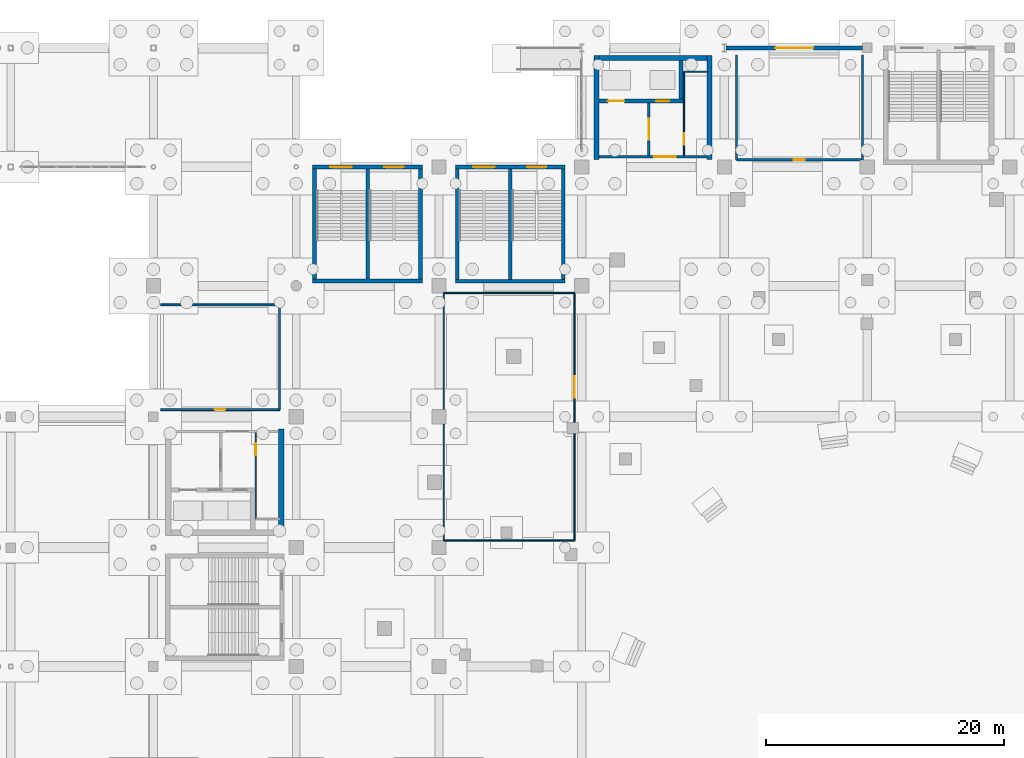
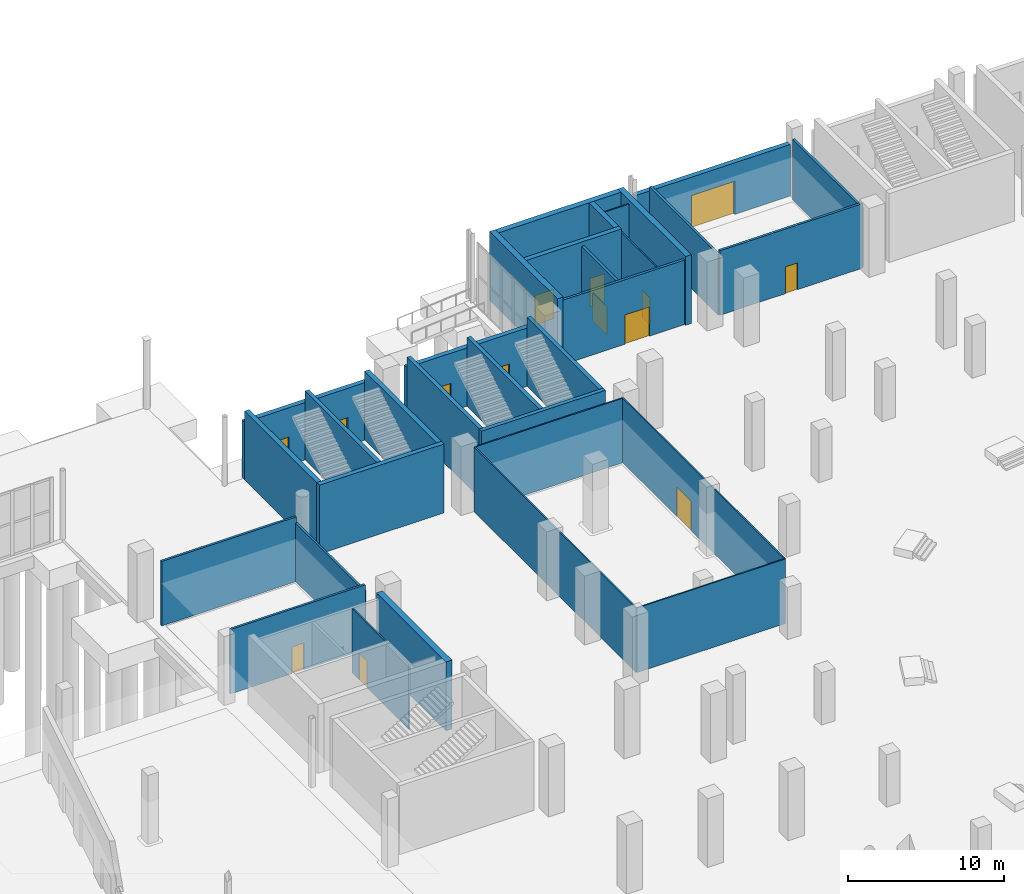
# One storey, part 52 of 70: 32 walls, 14 doors, 14 openings.
"""IFC4 building model written with IfcOpenShell, lengths in metres."""

from ifc_helpers import new_model, si_unit, direction, frame, frame_2d, origin, place, context, subcontext, project, spatial, rectangle, extrude, material, layer, layer_set, type_object, element, fill, save


model = new_model("IFC4")

# Units and contexts
model_context = context("Model", 3, precision=1e-05, world=origin(), true_north=direction((0.0, 1.0)))
body_context = subcontext(model_context, "Body", "Model", "MODEL_VIEW")
ifc_project = project(units=[si_unit("LENGTHUNIT", "METRE"), si_unit("AREAUNIT", "SQUARE_METRE"), si_unit("VOLUMEUNIT", "CUBIC_METRE"), si_unit("PLANEANGLEUNIT", "RADIAN"), si_unit("MASSUNIT", "GRAM", prefix="KILO")], contexts=[model_context])

# Site, building, storey
site_placement = place(None, origin())
site = spatial("IfcSite", under=ifc_project, at=site_placement, CompositionType="ELEMENT")
building_placement = place(site_placement, origin())
building = spatial("IfcBuilding", under=site, at=building_placement, Name="Brinegate Civic Arena", CompositionType="ELEMENT")
storey_placement = place(building_placement, origin())
storey = spatial("IfcBuildingStorey", under=building, at=storey_placement, Name="L00", CompositionType="ELEMENT", Elevation=0.0)

# Walls
ifc_material_1 = material(Name="Concrete C50/60", Category="concrete")
ifc_layer_1 = layer(ifc_material_1, 0.35009765625, Name="Concrete C50/60")
ifc_layer_set_1 = layer_set([ifc_layer_1], Name="Concrete C50/60")
wall_type_1 = type_object("IfcWallType", Name="WALL-CORE-SHEAR-350", PredefinedType="SHEAR", material=ifc_layer_set_1)
for number, where, z_axis, x_axis, name in (
    (1, (61.375, 104.39990234375, 0.0), (0.0, 0.0, 1.0), (1.0, 0.0, 0.0), "Stair ST-01 South Shear Wall L00 (WBB-02)"),
    (2, (61.550048828125, 104.574951171875, 0.0), (0.0, 0.0, 1.0), (0.0, 1.0, 0.0), "Stair ST-01 West Shear Wall L00 (WBB-04)"),
    (3, (70.449951171875, 104.574951171875, 0.0), (0.0, 0.0, 1.0), (0.0, 1.0, 0.0), "Stair ST-01 East Shear Wall L00 (WBB-05)"),
):
    element("IfcWall", number, at=place(storey_placement, frame(where, z_axis=z_axis, x_axis=x_axis)), inside=storey, type_object=wall_type_1, Name=name, PredefinedType="SHEAR", context=body_context, shape_type="SweptSolid", body=[
        extrude(rectangle(XDim=9.25, YDim=0.35009765625, at=frame_2d((4.625, 0.0))), origin(), (0.0, 0.0, 1.0), 5.39990234375),
    ])

# Wall, openings, doors
wall_1_placement = place(storey_placement, frame((85.4599609375, 119.550048828125, 0.0), z_axis=(0.0, 0.0, 1.0), x_axis=(1.0, 0.0, 0.0)))
wall_1 = element("IfcWall", 4, at=wall_1_placement, inside=storey, type_object=wall_type_1, Name="Core K3 Lift Shaft Front Wall L00 (WBG-48)", PredefinedType="SHEAR", context=body_context, shape_type="SweptSolid", body=[
    extrude(rectangle(XDim=7.06494140625, YDim=0.35009765625, at=frame_2d((3.532470703125, 0.0))), origin(), (0.0, 0.0, 1.0), 5.39990234375),
])
opening_1_placement = place(wall_1_placement, frame((0.739990234375, 0.0, 0.0)))
opening_1 = element("IfcOpeningElement", 5, at=opening_1_placement, cuts=wall_1, Name="Opening LD-FL3-L00", PredefinedType="OPENING", context=body_context, shape_type="SweptSolid", body=[
    extrude(rectangle(XDim=1.39990234375, YDim=2.300048828125, at=frame_2d((0.699951171875, 1.14990234375))), frame((0.0, 0.18505859375, 0.0), z_axis=(0.0, -1.0, 0.0), x_axis=(1.0, 0.0, 0.0)), (0.0, 0.0, 1.0), 0.3701171875),
])
opening_2_placement = place(wall_1_placement, frame((4.7900390625, 0.0, 0.0)))
opening_2 = element("IfcOpeningElement", 6, at=opening_2_placement, cuts=wall_1, Name="Opening LD-PL5-L00", PredefinedType="OPENING", context=body_context, shape_type="SweptSolid", body=[
    extrude(rectangle(XDim=1.10009765625, YDim=2.199951171875, at=frame_2d((0.550048828125, 1.10009765625))), frame((0.0, 0.18505859375, 0.0), z_axis=(0.0, -1.0, 0.0), x_axis=(1.0, 0.0, 0.0)), (0.0, 0.0, 1.0), 0.3701171875),
])
ifc_material_2 = material(Name="Architectural stainless steel balustrade", Category="steel")
door_type_1 = type_object("IfcDoorType", Name="DOOR-LIFT-1100X2200", OperationType="SLIDING_TO_LEFT", PredefinedType="DOOR", material=ifc_material_2)
door_1_placement = place(opening_2_placement, origin())
door_1 = element("IfcDoor", 7, at=door_1_placement, inside=storey, type_object=door_type_1, Name="Sliding Lift Landing Door LD-PL5-L00", OperationType="SLIDING_TO_LEFT", OverallHeight=2.199951171875, OverallWidth=1.10009765625, PredefinedType="DOOR", context=body_context, shape_type="SweptSolid", body=[
    extrude(rectangle(XDim=1.10009765625, YDim=2.199951171875, at=frame_2d((0.550048828125, 1.10009765625))), frame((0.0, 0.02490234375, 0.0), z_axis=(0.0, -1.0, 0.0), x_axis=(1.0, 0.0, 0.0)), (0.0, 0.0, 1.0), 0.050048828125),
])
fill(opening_2, door_1)
door_type_2 = type_object("IfcDoorType", Name="DOOR-LIFT-1400X2300", OperationType="SLIDING_TO_LEFT", PredefinedType="DOOR", material=ifc_material_2)
door_2_placement = place(opening_1_placement, origin())
door_2 = element("IfcDoor", 8, at=door_2_placement, inside=storey, type_object=door_type_2, Name="Sliding Lift Landing Door LD-FL3-L00", OperationType="SLIDING_TO_LEFT", OverallHeight=2.300048828125, OverallWidth=1.39990234375, PredefinedType="DOOR", context=body_context, shape_type="SweptSolid", body=[
    extrude(rectangle(XDim=1.39990234375, YDim=2.300048828125, at=frame_2d((0.699951171875, 1.14990234375))), frame((0.0, 0.02490234375, 0.0), z_axis=(0.0, -1.0, 0.0), x_axis=(1.0, 0.0, 0.0)), (0.0, 0.0, 1.0), 0.050048828125),
])
fill(opening_1, door_2)

# Walls
wall_2_placement = place(storey_placement, frame((92.35009765625, 119.72509765625, 0.0), z_axis=(0.0, 0.0, 1.0), x_axis=(0.0, 1.0, 0.0)))
element("IfcWall", 9, at=wall_2_placement, inside=storey, type_object=wall_type_1, Name="Core K3 Lift Shaft End Wall L00 (WBG-49)", PredefinedType="SHEAR", context=body_context, shape_type="SweptSolid", body=[
    extrude(rectangle(XDim=3.21484375, YDim=0.35009765625, at=frame_2d((1.607421875, 0.0))), origin(), (0.0, 0.0, 1.0), 5.39990234375),
])
ifc_layer_2 = layer(ifc_material_1, 0.419921875, Name="Concrete C50/60")
ifc_layer_set_2 = layer_set([ifc_layer_2], Name="Concrete C50/60")
wall_type_2 = type_object("IfcWallType", Name="WALL-CORE-SHEAR-420", PredefinedType="SHEAR", material=ifc_layer_set_2)
for number, where, z_axis, x_axis, name in (
    (10, (85.25, 114.639892578125, 0.0), (0.0, 0.0, 1.0), (0.0, 1.0, 0.0), "Core K3 West Shear Wall L00 (WBG-45)"),
    (11, (94.75, 114.639892578125, 0.0), (0.0, 0.0, 1.0), (0.0, 1.0, 0.0), "Core K3 East Shear Wall L00 (WBG-46)"),
):
    element("IfcWall", number, at=place(storey_placement, frame(where, z_axis=z_axis, x_axis=x_axis)), inside=storey, type_object=wall_type_2, Name=name, PredefinedType="SHEAR", context=body_context, shape_type="SweptSolid", body=[
        extrude(rectangle(XDim=8.72021484375, YDim=0.419921875, at=frame_2d((4.360107421875, 0.0))), origin(), (0.0, 0.0, 1.0), 5.39990234375),
    ])
wall_3_placement = place(storey_placement, frame((85.4599609375, 123.14990234375, 0.0), z_axis=(0.0, 0.0, 1.0), x_axis=(1.0, 0.0, 0.0)))
element("IfcWall", 12, at=wall_3_placement, inside=storey, type_object=wall_type_2, Name="Core K3 North Shear Wall L00 (WBG-47)", PredefinedType="SHEAR", context=body_context, shape_type="SweptSolid", body=[
    extrude(rectangle(XDim=9.080078125, YDim=0.419921875, at=frame_2d((4.5400390625, 0.0))), origin(), (0.0, 0.0, 1.0), 5.39990234375),
])
ifc_layer_3 = layer(ifc_material_1, 0.449951171875, Name="Concrete C50/60")
ifc_layer_set_3 = layer_set([ifc_layer_3], Name="Concrete C50/60")
wall_type_3 = type_object("IfcWallType", Name="WALL-CORE-SHEAR-450", PredefinedType="SHEAR", material=ifc_layer_set_3)
wall_4_placement = place(storey_placement, frame((58.75, 83.02490234375, 0.0), z_axis=(0.0, 0.0, 1.0), x_axis=(0.0, 1.0, 0.0)))
element("IfcWall", 13, at=wall_4_placement, inside=storey, type_object=wall_type_3, Name="Core K1 East Shear Wall L00 (WBF-37)", PredefinedType="SHEAR", context=body_context, shape_type="SweptSolid", body=[
    extrude(rectangle(XDim=8.9501953125, YDim=0.449951171875, at=frame_2d((4.47509765625, 0.0))), origin(), (0.0, 0.0, 1.0), 5.39990234375),
])

# Wall, opening, door
ifc_material_3 = material(Name="Precast concrete C45/55", Category="concrete")
ifc_layer_4 = layer(ifc_material_3, 0.360107421875, Name="Precast concrete C45/55")
ifc_layer_set_4 = layer_set([ifc_layer_4], Name="Precast concrete C45/55")
wall_type_4 = type_object("IfcWallType", Name="WALL-EXT-PRECAST-360", PredefinedType="SOLIDWALL", material=ifc_layer_set_4)
wall_5_placement = place(storey_placement, frame((96.14697265625, 124.0, 0.0), z_axis=(0.0, 0.0, 1.0), x_axis=(1.0, 0.0, 0.0)))
wall_5 = element("IfcWall", 14, at=wall_5_placement, inside=storey, type_object=wall_type_4, Name="L00 Perimeter Wall NP-1 (WBA-26)", PredefinedType="SOLIDWALL", context=body_context, shape_type="SweptSolid", body=[
    extrude(rectangle(XDim=11.468017578125, YDim=0.360107421875, at=frame_2d((5.73388671875, 0.0))), origin(), (0.0, 0.0, 1.0), 4.0400390625),
])
opening_3_placement = place(wall_5_placement, frame((4.134033203125, 0.0, 0.0)))
opening_3 = element("IfcOpeningElement", 15, at=opening_3_placement, cuts=wall_5, Name="Opening E-08", PredefinedType="OPENING", context=body_context, shape_type="SweptSolid", body=[
    extrude(rectangle(XDim=3.199951171875, YDim=2.60009765625, at=frame_2d((1.60009765625, 1.300048828125))), frame((0.0, 0.18994140625, 0.0), z_axis=(0.0, -1.0, 0.0), x_axis=(1.0, 0.0, 0.0)), (0.0, 0.0, 1.0), 0.380126953125),
])
ifc_material_4 = material(Name="Marine grade aluminium", Category="aluminium")
door_type_3 = type_object("IfcDoorType", Name="DOOR-FINAL-EXIT-3200X2600", OperationType="NOTDEFINED", PredefinedType="DOOR", material=ifc_material_4)
door_3_placement = place(opening_3_placement, origin())
door_3 = element("IfcDoor", 16, at=door_3_placement, inside=storey, type_object=door_type_3, Name="Main Pedestrian Final Exit Door E-08", OperationType="DOUBLE_DOOR_SINGLE_SWING", OverallHeight=2.60009765625, OverallWidth=3.199951171875, PredefinedType="DOOR", context=body_context, shape_type="SweptSolid", body=[
    extrude(rectangle(XDim=3.199951171875, YDim=2.60009765625, at=frame_2d((1.60009765625, 1.300048828125))), frame((0.0, 0.02490234375, 0.0), z_axis=(0.0, -1.0, 0.0), x_axis=(1.0, 0.0, 0.0)), (0.0, 0.0, 1.0), 0.050048828125),
])
fill(opening_3, door_3)

# Wall, openings, doors
ifc_layer_5 = layer(ifc_material_1, 0.35009765625, Name="Concrete C50/60")
ifc_layer_set_5 = layer_set([ifc_layer_5], Name="Concrete C50/60")
wall_type_5 = type_object("IfcWallType", Name="WALL-EXT-STAIR-SHEAR-350", PredefinedType="SHEAR", material=ifc_layer_set_5)
wall_6_placement = place(storey_placement, frame((61.375, 114.0, 0.0), z_axis=(0.0, 0.0, 1.0), x_axis=(1.0, 0.0, 0.0)))
wall_6 = element("IfcWall", 17, at=wall_6_placement, inside=storey, type_object=wall_type_5, Name="Stair ST-01 North Shear Wall L00 (WBB-03)", PredefinedType="SHEAR", context=body_context, shape_type="SweptSolid", body=[
    extrude(rectangle(XDim=9.25, YDim=0.35009765625, at=frame_2d((4.625, 0.0))), origin(), (0.0, 0.0, 1.0), 4.49609375),
])
opening_4_placement = place(wall_6_placement, frame((1.5, 0.0, 0.0)))
opening_4 = element("IfcOpeningElement", 18, at=opening_4_placement, cuts=wall_6, Name="Opening E-ST01A", PredefinedType="OPENING", context=body_context, shape_type="SweptSolid", body=[
    extrude(rectangle(XDim=1.800048828125, YDim=2.199951171875, at=frame_2d((0.89990234375, 1.10009765625))), frame((0.0, 0.18505859375, 0.0), z_axis=(0.0, -1.0, 0.0), x_axis=(1.0, 0.0, 0.0)), (0.0, 0.0, 1.0), 0.3701171875),
])
opening_5_placement = place(wall_6_placement, frame((6.050048828125, 0.0, 0.0)))
opening_5 = element("IfcOpeningElement", 19, at=opening_5_placement, cuts=wall_6, Name="Opening E-ST01B", PredefinedType="OPENING", context=body_context, shape_type="SweptSolid", body=[
    extrude(rectangle(XDim=1.60009765625, YDim=2.199951171875, at=frame_2d((0.800048828125, 1.10009765625))), frame((0.0, 0.18505859375, 0.0), z_axis=(0.0, -1.0, 0.0), x_axis=(1.0, 0.0, 0.0)), (0.0, 0.0, 1.0), 0.3701171875),
])
door_type_4 = type_object("IfcDoorType", Name="DOOR-LOGGIA-1600X2200", OperationType="NOTDEFINED", PredefinedType="DOOR", material=ifc_material_4)
door_4_placement = place(opening_5_placement, origin())
door_4 = element("IfcDoor", 20, at=door_4_placement, inside=storey, type_object=door_type_4, Name="Stair Final Exit Discharge Door E-ST01B", OperationType="DOUBLE_DOOR_SINGLE_SWING", OverallHeight=2.199951171875, OverallWidth=1.60009765625, PredefinedType="DOOR", context=body_context, shape_type="SweptSolid", body=[
    extrude(rectangle(XDim=1.60009765625, YDim=2.199951171875, at=frame_2d((0.800048828125, 1.10009765625))), frame((0.0, 0.02490234375, 0.0), z_axis=(0.0, -1.0, 0.0), x_axis=(1.0, 0.0, 0.0)), (0.0, 0.0, 1.0), 0.050048828125),
])
fill(opening_5, door_4)
door_type_5 = type_object("IfcDoorType", Name="DOOR-LOGGIA-1800X2200", OperationType="NOTDEFINED", PredefinedType="DOOR", material=ifc_material_4)
door_5_placement = place(opening_4_placement, origin())
door_5 = element("IfcDoor", 21, at=door_5_placement, inside=storey, type_object=door_type_5, Name="Stair Final Exit Discharge Door E-ST01A", OperationType="DOUBLE_DOOR_SINGLE_SWING", OverallHeight=2.199951171875, OverallWidth=1.800048828125, PredefinedType="DOOR", context=body_context, shape_type="SweptSolid", body=[
    extrude(rectangle(XDim=1.800048828125, YDim=2.199951171875, at=frame_2d((0.89990234375, 1.10009765625))), frame((0.0, 0.02490234375, 0.0), z_axis=(0.0, -1.0, 0.0), x_axis=(1.0, 0.0, 0.0)), (0.0, 0.0, 1.0), 0.050048828125),
])
fill(opening_4, door_5)

wall_7_placement = place(storey_placement, frame((73.405029296875, 114.0, 0.0), z_axis=(0.0, 0.0, 1.0), x_axis=(1.0, 0.0, 0.0)))
wall_7 = element("IfcWall", 22, at=wall_7_placement, inside=storey, type_object=wall_type_5, Name="Stair ST-11 North Shear Wall L00 (WBD-80)", PredefinedType="SHEAR", context=body_context, shape_type="SweptSolid", body=[
    extrude(rectangle(XDim=9.18994140625, YDim=0.35009765625, at=frame_2d((4.594970703125, 0.0))), origin(), (0.0, 0.0, 1.0), 4.573974609375),
])
opening_6_placement = place(wall_7_placement, frame((1.469970703125, 0.0, 0.0)))
opening_6 = element("IfcOpeningElement", 23, at=opening_6_placement, cuts=wall_7, Name="Opening E-ST11A", PredefinedType="OPENING", context=body_context, shape_type="SweptSolid", body=[
    extrude(rectangle(XDim=1.800048828125, YDim=2.199951171875, at=frame_2d((0.89990234375, 1.10009765625))), frame((0.0, 0.18505859375, 0.0), z_axis=(0.0, -1.0, 0.0), x_axis=(1.0, 0.0, 0.0)), (0.0, 0.0, 1.0), 0.3701171875),
])
opening_7_placement = place(wall_7_placement, frame((6.02001953125, 0.0, 0.0)))
opening_7 = element("IfcOpeningElement", 24, at=opening_7_placement, cuts=wall_7, Name="Opening E-ST11B", PredefinedType="OPENING", context=body_context, shape_type="SweptSolid", body=[
    extrude(rectangle(XDim=1.60009765625, YDim=2.199951171875, at=frame_2d((0.800048828125, 1.10009765625))), frame((0.0, 0.18505859375, 0.0), z_axis=(0.0, -1.0, 0.0), x_axis=(1.0, 0.0, 0.0)), (0.0, 0.0, 1.0), 0.3701171875),
])
door_6_placement = place(opening_7_placement, origin())
door_6 = element("IfcDoor", 25, at=door_6_placement, inside=storey, type_object=door_type_4, Name="Stair Final Exit Discharge Door E-ST11B", OperationType="DOUBLE_DOOR_SINGLE_SWING", OverallHeight=2.199951171875, OverallWidth=1.60009765625, PredefinedType="DOOR", context=body_context, shape_type="SweptSolid", body=[
    extrude(rectangle(XDim=1.60009765625, YDim=2.199951171875, at=frame_2d((0.800048828125, 1.10009765625))), frame((0.0, 0.02490234375, 0.0), z_axis=(0.0, -1.0, 0.0), x_axis=(1.0, 0.0, 0.0)), (0.0, 0.0, 1.0), 0.050048828125),
])
fill(opening_7, door_6)
door_7_placement = place(opening_6_placement, origin())
door_7 = element("IfcDoor", 26, at=door_7_placement, inside=storey, type_object=door_type_5, Name="Stair Final Exit Discharge Door E-ST11A", OperationType="DOUBLE_DOOR_SINGLE_SWING", OverallHeight=2.199951171875, OverallWidth=1.800048828125, PredefinedType="DOOR", context=body_context, shape_type="SweptSolid", body=[
    extrude(rectangle(XDim=1.800048828125, YDim=2.199951171875, at=frame_2d((0.89990234375, 1.10009765625))), frame((0.0, 0.02490234375, 0.0), z_axis=(0.0, -1.0, 0.0), x_axis=(1.0, 0.0, 0.0)), (0.0, 0.0, 1.0), 0.050048828125),
])
fill(opening_6, door_7)

# Wall
ifc_material_5 = material(Name="Fire-rated gypsum partition assembly")
ifc_layer_6 = layer(ifc_material_5, 0.159912109375, Name="Fire-rated gypsum partition assembly")
ifc_layer_set_6 = layer_set([ifc_layer_6], Name="Fire-rated gypsum partition assembly")
wall_type_6 = type_object("IfcWallType", Name="WALL-PART-RATED-160", PredefinedType="PARTITIONING", material=ifc_layer_set_6)
wall_8_placement = place(storey_placement, frame((58.60009765625, 102.39990234375, 0.0), z_axis=(0.0, 0.0, 1.0), x_axis=(0.0, -1.0, 0.0)))
element("IfcWall", 27, at=wall_8_placement, inside=storey, type_object=wall_type_6, Name="Event Level Staff Female Toilet Partition Wall E1 (WBI-74)", PredefinedType="PARTITIONING", context=body_context, shape_type="SweptSolid", body=[
    extrude(rectangle(XDim=8.7998046875, YDim=0.159912109375, at=frame_2d((4.39990234375, 0.0))), origin(), (0.0, 0.0, 1.0), 4.580078125),
])

# Wall, opening, door
wall_9_placement = place(storey_placement, frame((58.60009765625, 93.60009765625, 0.0), z_axis=(0.0, 0.0, 1.0), x_axis=(-1.0, 0.0, 0.0)))
wall_9 = element("IfcWall", 28, at=wall_9_placement, inside=storey, type_object=wall_type_6, Name="Event Level Staff Female Toilet Partition Wall E2 (WBI-75)", PredefinedType="PARTITIONING", context=body_context, shape_type="SweptSolid", body=[
    extrude(rectangle(XDim=10.0, YDim=0.159912109375, at=frame_2d((5.0, 0.0))), origin(), (0.0, 0.0, 1.0), 5.06005859375),
])
opening_8_placement = place(wall_9_placement, frame((4.550048828125, 0.0, 0.0)))
opening_8 = element("IfcOpeningElement", 29, at=opening_8_placement, cuts=wall_9, Name="Opening D-L00-166", PredefinedType="OPENING", context=body_context, shape_type="SweptSolid", body=[
    extrude(rectangle(XDim=0.89990234375, YDim=2.10009765625, at=frame_2d((0.449951171875, 1.050048828125))), frame((0.0, 0.08984375, 0.0), z_axis=(0.0, -1.0, 0.0), x_axis=(1.0, 0.0, 0.0)), (0.0, 0.0, 1.0), 0.179931640625),
])
ifc_material_6 = material(Name="Hardwood acoustic timber door", Category="wood")
door_type_6 = type_object("IfcDoorType", Name="DOOR-WC-900X2100", OperationType="NOTDEFINED", PredefinedType="DOOR", material=ifc_material_6)
door_8_placement = place(opening_8_placement, origin())
door_8 = element("IfcDoor", 30, at=door_8_placement, inside=storey, type_object=door_type_6, Name="Event Level Staff Female Toilet Door D-L00-166", OperationType="SINGLE_SWING_LEFT", OverallHeight=2.10009765625, OverallWidth=0.89990234375, PredefinedType="DOOR", context=body_context, shape_type="SweptSolid", body=[
    extrude(rectangle(XDim=0.89990234375, YDim=2.10009765625, at=frame_2d((0.449951171875, 1.050048828125))), frame((0.0, 0.02490234375, 0.0), z_axis=(0.0, -1.0, 0.0), x_axis=(1.0, 0.0, 0.0)), (0.0, 0.0, 1.0), 0.050048828125),
])
fill(opening_8, door_8)

# Walls
wall_10_placement = place(storey_placement, frame((48.60009765625, 102.39990234375, 0.0), z_axis=(0.0, 0.0, 1.0), x_axis=(1.0, 0.0, 0.0)))
element("IfcWall", 31, at=wall_10_placement, inside=storey, type_object=wall_type_6, Name="Event Level Staff Female Toilet Partition Wall E4 (WBI-76)", PredefinedType="PARTITIONING", context=body_context, shape_type="SweptSolid", body=[
    extrude(rectangle(XDim=10.0, YDim=0.159912109375, at=frame_2d((5.0, 0.0))), origin(), (0.0, 0.0, 1.0), 5.06005859375),
])
ifc_layer_7 = layer(ifc_material_5, 0.175048828125, Name="Fire-rated gypsum partition assembly")
ifc_layer_set_7 = layer_set([ifc_layer_7], Name="Fire-rated gypsum partition assembly")
wall_type_7 = type_object("IfcWallType", Name="WALL-PART-RATED-175", PredefinedType="PARTITIONING", material=ifc_layer_set_7)
wall_11_placement = place(storey_placement, frame((107.60009765625, 123.39990234375, 0.0), z_axis=(0.0, 0.0, 1.0), x_axis=(0.0, -1.0, 0.0)))
element("IfcWall", 32, at=wall_11_placement, inside=storey, type_object=wall_type_7, Name="Event Level Staff Male Toilet Partition Wall E1 (WBI-71)", PredefinedType="PARTITIONING", context=body_context, shape_type="SweptSolid", body=[
    extrude(rectangle(XDim=8.7998046875, YDim=0.175048828125, at=frame_2d((4.39990234375, 0.0))), origin(), (0.0, 0.0, 1.0), 4.72998046875),
])

# Wall, opening, door
wall_12_placement = place(storey_placement, frame((107.60009765625, 114.60009765625, 0.0), z_axis=(0.0, 0.0, 1.0), x_axis=(-1.0, 0.0, 0.0)))
wall_12 = element("IfcWall", 33, at=wall_12_placement, inside=storey, type_object=wall_type_7, Name="Event Level Staff Male Toilet Partition Wall E2 (WBI-72)", PredefinedType="PARTITIONING", context=body_context, shape_type="SweptSolid", body=[
    extrude(rectangle(XDim=10.60009765625, YDim=0.175048828125, at=frame_2d((5.300048828125, 0.0))), origin(), (0.0, 0.0, 1.0), 5.06005859375),
])
opening_9_placement = place(wall_12_placement, frame((4.85009765625, 0.0, 0.0)))
opening_9 = element("IfcOpeningElement", 34, at=opening_9_placement, cuts=wall_12, Name="Opening D-L00-165", PredefinedType="OPENING", context=body_context, shape_type="SweptSolid", body=[
    extrude(rectangle(XDim=0.89990234375, YDim=2.10009765625, at=frame_2d((0.449951171875, 1.050048828125))), frame((0.0, 0.097412109375, 0.0), z_axis=(0.0, -1.0, 0.0), x_axis=(1.0, 0.0, 0.0)), (0.0, 0.0, 1.0), 0.195068359375),
])
door_9_placement = place(opening_9_placement, origin())
door_9 = element("IfcDoor", 35, at=door_9_placement, inside=storey, type_object=door_type_6, Name="Event Level Staff Male Toilet Door D-L00-165", OperationType="SINGLE_SWING_RIGHT", OverallHeight=2.10009765625, OverallWidth=0.89990234375, PredefinedType="DOOR", context=body_context, shape_type="SweptSolid", body=[
    extrude(rectangle(XDim=0.89990234375, YDim=2.10009765625, at=frame_2d((0.449951171875, 1.050048828125))), frame((0.0, 0.02490234375, 0.0), z_axis=(0.0, -1.0, 0.0), x_axis=(1.0, 0.0, 0.0)), (0.0, 0.0, 1.0), 0.050048828125),
])
fill(opening_9, door_9)

# Wall
wall_13_placement = place(storey_placement, frame((97.0, 114.60009765625, 0.0), z_axis=(0.0, 0.0, 1.0), x_axis=(0.0, 1.0, 0.0)))
element("IfcWall", 36, at=wall_13_placement, inside=storey, type_object=wall_type_7, Name="Event Level Staff Male Toilet Partition Wall E3 (WBI-73)", PredefinedType="PARTITIONING", context=body_context, shape_type="SweptSolid", body=[
    extrude(rectangle(XDim=8.7998046875, YDim=0.175048828125, at=frame_2d((4.39990234375, 0.0))), origin(), (0.0, 0.0, 1.0), 4.72998046875),
])

# Wall, opening, door
ifc_material_7 = material(Name="Concrete blockwork masonry", Category="masonry")
ifc_layer_8 = layer(ifc_material_7, 0.18994140625, Name="Concrete blockwork masonry")
ifc_layer_set_8 = layer_set([ifc_layer_8], Name="Concrete blockwork masonry")
wall_type_8 = type_object("IfcWallType", Name="WALL-PART-RATED-190", PredefinedType="PARTITIONING", material=ifc_layer_set_8)
wall_14_placement = place(storey_placement, frame((85.469970703125, 114.85009765625, 0.0), z_axis=(0.0, 0.0, 1.0), x_axis=(1.0, 0.0, 0.0)))
wall_14 = element("IfcWall", 37, at=wall_14_placement, inside=storey, type_object=wall_type_8, Name="Core K3 Concourse Lobby Wall L00 (WBG-50)", PredefinedType="PARTITIONING", context=body_context, shape_type="SweptSolid", body=[
    extrude(rectangle(XDim=9.06005859375, YDim=0.18994140625, at=frame_2d((4.530029296875, 0.0))), origin(), (0.0, 0.0, 1.0), 5.06005859375),
])
opening_10_placement = place(wall_14_placement, frame((4.64990234375, 0.0, 0.0)))
opening_10 = element("IfcOpeningElement", 38, at=opening_10_placement, cuts=wall_14, Name="Opening D-K3L-L00", PredefinedType="OPENING", context=body_context, shape_type="SweptSolid", body=[
    extrude(rectangle(XDim=1.800048828125, YDim=2.300048828125, at=frame_2d((0.89990234375, 1.14990234375))), frame((0.0, 0.10498046875, 0.0), z_axis=(0.0, -1.0, 0.0), x_axis=(1.0, 0.0, 0.0)), (0.0, 0.0, 1.0), 0.2099609375),
])
door_type_7 = type_object("IfcDoorType", Name="DOOR-CONC-1800X2300", OperationType="NOTDEFINED", PredefinedType="DOOR", material=ifc_material_4)
door_10_placement = place(opening_10_placement, origin())
door_10 = element("IfcDoor", 39, at=door_10_placement, inside=storey, type_object=door_type_7, Name="Lift Lobby Door D-K3L-L00", OperationType="DOUBLE_DOOR_SINGLE_SWING", OverallHeight=2.300048828125, OverallWidth=1.800048828125, PredefinedType="DOOR", context=body_context, shape_type="SweptSolid", body=[
    extrude(rectangle(XDim=1.800048828125, YDim=2.300048828125, at=frame_2d((0.89990234375, 1.14990234375))), frame((0.0, 0.02490234375, 0.0), z_axis=(0.0, -1.0, 0.0), x_axis=(1.0, 0.0, 0.0)), (0.0, 0.0, 1.0), 0.050048828125),
])
fill(opening_10, door_10)

wall_15_placement = place(storey_placement, frame((89.64990234375, 114.949951171875, 0.0), z_axis=(0.0, 0.0, 1.0), x_axis=(0.0, 1.0, 0.0)))
wall_15 = element("IfcWall", 40, at=wall_15_placement, inside=storey, type_object=wall_type_8, Name="Firefighting Lobby K3 Wall L00 (WBG-51)", PredefinedType="PARTITIONING", context=body_context, shape_type="SweptSolid", body=[
    extrude(rectangle(XDim=4.425048828125, YDim=0.18994140625, at=frame_2d((2.21240234375, 0.0))), origin(), (0.0, 0.0, 1.0), 5.06005859375),
])
opening_11_placement = place(wall_15_placement, frame((1.31298828125, 0.0, 0.0)))
opening_11 = element("IfcOpeningElement", 41, at=opening_11_placement, cuts=wall_15, Name="Opening D-K3F-L00", PredefinedType="OPENING", context=body_context, shape_type="SweptSolid", body=[
    extrude(rectangle(XDim=1.800048828125, YDim=2.199951171875, at=frame_2d((0.89990234375, 1.10009765625))), frame((0.0, 0.10498046875, 0.0), z_axis=(0.0, -1.0, 0.0), x_axis=(1.0, 0.0, 0.0)), (0.0, 0.0, 1.0), 0.2099609375),
])
ifc_material_8 = material(Name="Galvanized hurricane steel", Category="steel")
door_type_8 = type_object("IfcDoorType", Name="DOOR-FFLOB-1800X2200", OperationType="NOTDEFINED", PredefinedType="DOOR", material=ifc_material_8)
door_11_placement = place(opening_11_placement, origin())
door_11 = element("IfcDoor", 42, at=door_11_placement, inside=storey, type_object=door_type_8, Name="Firefighting Lift Lobby Door D-K3F-L00", OperationType="DOUBLE_DOOR_SINGLE_SWING", OverallHeight=2.199951171875, OverallWidth=1.800048828125, PredefinedType="DOOR", context=body_context, shape_type="SweptSolid", body=[
    extrude(rectangle(XDim=1.800048828125, YDim=2.199951171875, at=frame_2d((0.89990234375, 1.10009765625))), frame((0.0, 0.02490234375, 0.0), z_axis=(0.0, -1.0, 0.0), x_axis=(1.0, 0.0, 0.0)), (0.0, 0.0, 1.0), 0.050048828125),
])
fill(opening_11, door_11)

ifc_layer_9 = layer(ifc_material_7, 0.10009765625, Name="Concrete blockwork masonry")
ifc_layer_set_9 = layer_set([ifc_layer_9], Name="Concrete blockwork masonry")
wall_type_9 = type_object("IfcWallType", Name="WALL-PART-WET-100", PredefinedType="PARTITIONING", material=ifc_layer_set_9)
wall_16_placement = place(storey_placement, frame((56.60009765625, 84.39990234375, 0.0), z_axis=(0.0, 0.0, 1.0), x_axis=(0.0, 1.0, 0.0)))
wall_16 = element("IfcWall", 43, at=wall_16_placement, inside=storey, type_object=wall_type_9, Name="Accessible WC K1 Partition L00 (WBF-43)", PredefinedType="PARTITIONING", context=body_context, shape_type="SweptSolid", body=[
    extrude(rectangle(XDim=7.25, YDim=0.10009765625, at=frame_2d((3.625, 0.0))), origin(), (0.0, 0.0, 1.0), 5.06005859375),
])
opening_12_placement = place(wall_16_placement, frame((5.35009765625, 0.0, 0.0)))
opening_12 = element("IfcOpeningElement", 44, at=opening_12_placement, cuts=wall_16, Name="Opening D-K1W-L00", PredefinedType="OPENING", context=body_context, shape_type="SweptSolid", body=[
    extrude(rectangle(XDim=1.0, YDim=2.10009765625, at=frame_2d((0.5, 1.050048828125))), frame((0.0, 0.06005859375, 0.0), z_axis=(0.0, -1.0, 0.0), x_axis=(1.0, 0.0, 0.0)), (0.0, 0.0, 1.0), 0.1201171875),
])
door_type_9 = type_object("IfcDoorType", Name="DOOR-AWC-1000X2100", OperationType="NOTDEFINED", PredefinedType="DOOR", material=ifc_material_6)
door_12_placement = place(opening_12_placement, origin())
door_12 = element("IfcDoor", 45, at=door_12_placement, inside=storey, type_object=door_type_9, Name="Accessible WC Door D-K1W-L00", OperationType="SINGLE_SWING_LEFT", OverallHeight=2.10009765625, OverallWidth=1.0, PredefinedType="DOOR", context=body_context, shape_type="SweptSolid", body=[
    extrude(rectangle(XDim=1.0, YDim=2.10009765625, at=frame_2d((0.5, 1.050048828125))), frame((0.0, 0.02490234375, 0.0), z_axis=(0.0, -1.0, 0.0), x_axis=(1.0, 0.0, 0.0)), (0.0, 0.0, 1.0), 0.050048828125),
])
fill(opening_12, door_12)

wall_17_placement = place(storey_placement, frame((92.60009765625, 114.949951171875, 0.0), z_axis=(0.0, 0.0, 1.0), x_axis=(0.0, 1.0, 0.0)))
wall_17 = element("IfcWall", 46, at=wall_17_placement, inside=storey, type_object=wall_type_9, Name="Accessible WC K3 Partition L00 (WBG-52)", PredefinedType="PARTITIONING", context=body_context, shape_type="SweptSolid", body=[
    extrude(rectangle(XDim=7.050048828125, YDim=0.10009765625, at=frame_2d((3.52490234375, 0.0))), origin(), (0.0, 0.0, 1.0), 5.06005859375),
])
opening_13_placement = place(wall_17_placement, frame((0.89990234375, 0.0, 0.0)))
opening_13 = element("IfcOpeningElement", 47, at=opening_13_placement, cuts=wall_17, Name="Opening D-K3W-L00", PredefinedType="OPENING", context=body_context, shape_type="SweptSolid", body=[
    extrude(rectangle(XDim=1.0, YDim=2.10009765625, at=frame_2d((0.5, 1.050048828125))), frame((0.0, 0.06005859375, 0.0), z_axis=(0.0, -1.0, 0.0), x_axis=(1.0, 0.0, 0.0)), (0.0, 0.0, 1.0), 0.1201171875),
])
door_13_placement = place(opening_13_placement, origin())
door_13 = element("IfcDoor", 48, at=door_13_placement, inside=storey, type_object=door_type_9, Name="Accessible WC Door D-K3W-L00", OperationType="SINGLE_SWING_LEFT", OverallHeight=2.10009765625, OverallWidth=1.0, PredefinedType="DOOR", context=body_context, shape_type="SweptSolid", body=[
    extrude(rectangle(XDim=1.0, YDim=2.10009765625, at=frame_2d((0.5, 1.050048828125))), frame((0.0, 0.02490234375, 0.0), z_axis=(0.0, -1.0, 0.0), x_axis=(1.0, 0.0, 0.0)), (0.0, 0.0, 1.0), 0.050048828125),
])
fill(opening_13, door_13)

# Wall
wall_18_placement = place(storey_placement, frame((92.60009765625, 122.0, 0.0), z_axis=(0.0, 0.0, 1.0), x_axis=(1.0, 0.0, 0.0)))
element("IfcWall", 49, at=wall_18_placement, inside=storey, type_object=wall_type_9, Name="Accessible WC K3 Back Partition L00 (WBG-53)", PredefinedType="PARTITIONING", context=body_context, shape_type="SweptSolid", body=[
    extrude(rectangle(XDim=2.0, YDim=0.10009765625, at=frame_2d((1.0, 0.0))), origin(), (0.0, 0.0, 1.0), 5.06005859375),
])

# Wall, opening, door
wall_19_placement = place(storey_placement, frame((83.39990234375, 103.39990234375, 0.0), z_axis=(0.0, 0.0, 1.0), x_axis=(0.0, -1.0, 0.0)))
wall_19 = element("IfcWall", 50, at=wall_19_placement, inside=storey, type_object=wall_type_9, Name="Arena Catering Commissary Kitchen Partition Wall E1 (WBI-84)", PredefinedType="PARTITIONING", context=body_context, shape_type="SweptSolid", body=[
    extrude(rectangle(XDim=20.7998046875, YDim=0.10009765625, at=frame_2d((10.39990234375, 0.0))), origin(), (0.0, 0.0, 1.0), 5.06005859375),
])
opening_14_placement = place(wall_19_placement, frame((7.00390625, 0.0, 0.0)))
opening_14 = element("IfcOpeningElement", 51, at=opening_14_placement, cuts=wall_19, Name="Opening D-L00-169", PredefinedType="OPENING", context=body_context, shape_type="SweptSolid", body=[
    extrude(rectangle(XDim=1.800048828125, YDim=2.300048828125, at=frame_2d((0.89990234375, 1.14990234375))), frame((0.0, 0.06005859375, 0.0), z_axis=(0.0, -1.0, 0.0), x_axis=(1.0, 0.0, 0.0)), (0.0, 0.0, 1.0), 0.1201171875),
])
door_14_placement = place(opening_14_placement, origin())
door_14 = element("IfcDoor", 52, at=door_14_placement, inside=storey, type_object=door_type_7, Name="Arena Catering Commissary Kitchen Door D-L00-169", OperationType="DOUBLE_DOOR_SINGLE_SWING", OverallHeight=2.300048828125, OverallWidth=1.800048828125, PredefinedType="DOOR", context=body_context, shape_type="SweptSolid", body=[
    extrude(rectangle(XDim=1.800048828125, YDim=2.300048828125, at=frame_2d((0.89990234375, 1.14990234375))), frame((0.0, 0.02490234375, 0.0), z_axis=(0.0, -1.0, 0.0), x_axis=(1.0, 0.0, 0.0)), (0.0, 0.0, 1.0), 0.050048828125),
])
fill(opening_14, door_14)

# Walls
wall_20_placement = place(storey_placement, frame((83.39990234375, 82.60009765625, 0.0), z_axis=(0.0, 0.0, 1.0), x_axis=(-1.0, 0.0, 0.0)))
element("IfcWall", 53, at=wall_20_placement, inside=storey, type_object=wall_type_9, Name="Arena Catering Commissary Kitchen Partition Wall E2 (WBI-85)", PredefinedType="PARTITIONING", context=body_context, shape_type="SweptSolid", body=[
    extrude(rectangle(XDim=11.0, YDim=0.10009765625, at=frame_2d((5.5, 0.0))), origin(), (0.0, 0.0, 1.0), 5.06005859375),
])
wall_21_placement = place(storey_placement, frame((72.39990234375, 82.60009765625, 0.0), z_axis=(0.0, 0.0, 1.0), x_axis=(0.0, 1.0, 0.0)))
element("IfcWall", 54, at=wall_21_placement, inside=storey, type_object=wall_type_9, Name="Arena Catering Commissary Kitchen Partition Wall E3 (WBI-86)", PredefinedType="PARTITIONING", context=body_context, shape_type="SweptSolid", body=[
    extrude(rectangle(XDim=20.7998046875, YDim=0.10009765625, at=frame_2d((10.39990234375, 0.0))), origin(), (0.0, 0.0, 1.0), 5.06005859375),
])
wall_22_placement = place(storey_placement, frame((72.39990234375, 103.39990234375, 0.0), z_axis=(0.0, 0.0, 1.0), x_axis=(1.0, 0.0, 0.0)))
element("IfcWall", 55, at=wall_22_placement, inside=storey, type_object=wall_type_9, Name="Arena Catering Commissary Kitchen Partition Wall E4 (WBI-87)", PredefinedType="PARTITIONING", context=body_context, shape_type="SweptSolid", body=[
    extrude(rectangle(XDim=11.0, YDim=0.10009765625, at=frame_2d((5.5, 0.0))), origin(), (0.0, 0.0, 1.0), 5.06005859375),
])
ifc_layer_10 = layer(ifc_material_1, 0.2900390625, Name="Concrete C50/60")
ifc_layer_set_10 = layer_set([ifc_layer_10], Name="Concrete C50/60")
wall_type_10 = type_object("IfcWallType", Name="WALL-STAIR-SHEAR-290", PredefinedType="SHEAR", material=ifc_layer_set_10)
wall_23_placement = place(storey_placement, frame((66.0, 104.574951171875, 0.0), z_axis=(0.0, 0.0, 1.0), x_axis=(0.0, 1.0, 0.0)))
element("IfcWall", 56, at=wall_23_placement, inside=storey, type_object=wall_type_10, Name="Stair ST-01 Central Dividing Shear Wall L00 (WBB-06)", PredefinedType="SHEAR", context=body_context, shape_type="SweptSolid", body=[
    extrude(rectangle(XDim=9.25, YDim=0.2900390625, at=frame_2d((4.625, 0.0))), origin(), (0.0, 0.0, 1.0), 5.39990234375),
])
wall_24_placement = place(storey_placement, frame((73.405029296875, 104.39990234375, 0.0), z_axis=(0.0, 0.0, 1.0), x_axis=(1.0, 0.0, 0.0)))
element("IfcWall", 57, at=wall_24_placement, inside=storey, type_object=wall_type_10, Name="Stair ST-11 South Shear Wall L00 (WBD-79)", PredefinedType="SHEAR", context=body_context, shape_type="SweptSolid", body=[
    extrude(rectangle(XDim=9.18994140625, YDim=0.2900390625, at=frame_2d((4.594970703125, 0.0))), origin(), (0.0, 0.0, 1.0), 5.39990234375),
])
for number, where, z_axis, x_axis, name in (
    (58, (73.550048828125, 104.544921875, 0.0), (0.0, 0.0, 1.0), (0.0, 1.0, 0.0), "Stair ST-11 West Shear Wall L00 (WBD-81)"),
    (59, (82.449951171875, 104.544921875, 0.0), (0.0, 0.0, 1.0), (0.0, 1.0, 0.0), "Stair ST-11 East Shear Wall L00 (WBD-82)"),
    (60, (78.0, 104.544921875, 0.0), (0.0, 0.0, 1.0), (0.0, 1.0, 0.0), "Stair ST-11 Central Dividing Shear Wall L00 (WBD-83)"),
):
    element("IfcWall", number, at=place(storey_placement, frame(where, z_axis=z_axis, x_axis=x_axis)), inside=storey, type_object=wall_type_10, Name=name, PredefinedType="SHEAR", context=body_context, shape_type="SweptSolid", body=[
        extrude(rectangle(XDim=9.280029296875, YDim=0.2900390625, at=frame_2d((4.64013671875, 0.0))), origin(), (0.0, 0.0, 1.0), 5.39990234375),
    ])

save(model, "model.ifc")
